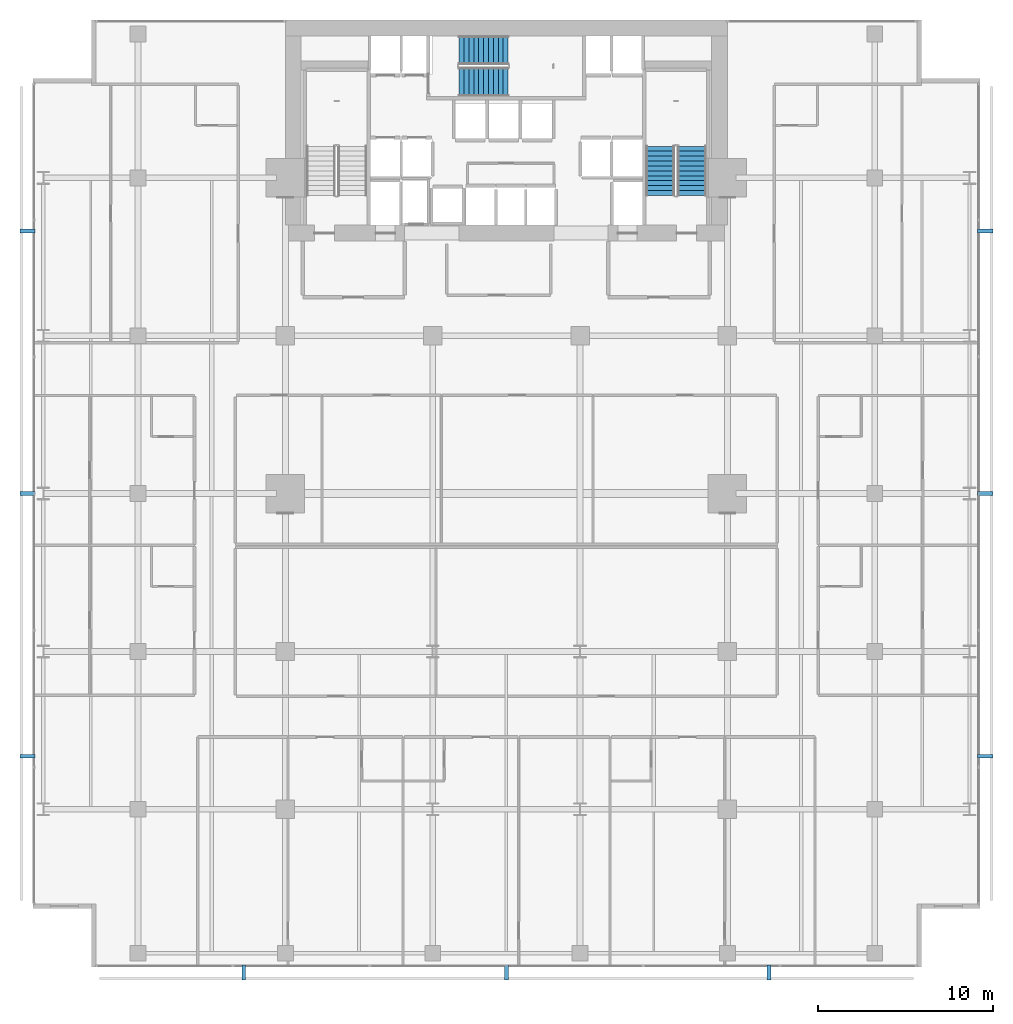
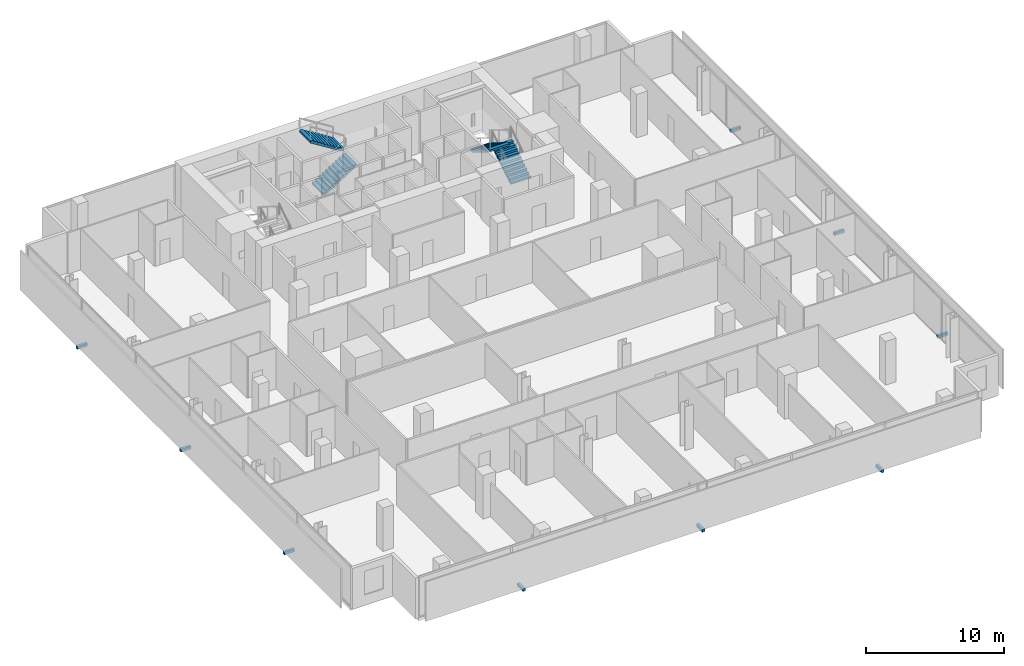
# One storey, part 37 of 39: 9 discrete accessories, 4 stair flights, 2 elements without a shape of their own.
"""IFC4 building model written with IfcOpenShell, lengths in metres."""

from ifc_helpers import new_model, si_unit, direction, frame, origin, origin_2d, place, context, subcontext, project, spatial, polyline, rectangle, outline, extrude, material, type_object, element, aggregate, save


model = new_model("IFC4")

# Units and contexts
model_context = context("Model", 3, precision=1e-05, world=origin(), true_north=direction((0.0, 1.0)))
body_context = subcontext(model_context, "Body", "Model", "MODEL_VIEW")
ifc_project = project(units=[si_unit("LENGTHUNIT", "METRE"), si_unit("AREAUNIT", "SQUARE_METRE"), si_unit("VOLUMEUNIT", "CUBIC_METRE"), si_unit("PLANEANGLEUNIT", "RADIAN"), si_unit("MASSUNIT", "GRAM", prefix="KILO")], contexts=[model_context])

# Site, building, storey
site_placement = place(None, origin())
site = spatial("IfcSite", under=ifc_project, at=site_placement, CompositionType="ELEMENT")
building_placement = place(site_placement, origin())
building = spatial("IfcBuilding", under=site, at=building_placement, Name="Maruvema Waterfront Hotel and Observation Tower", CompositionType="ELEMENT")
storey_placement = place(building_placement, frame((0.0, 0.0, 65.449951171875)))
storey = spatial("IfcBuildingStorey", under=building, at=storey_placement, Name="L15", CompositionType="ELEMENT", Elevation=65.449951171875)

# Stair, stair flights
ifc_material_1 = material(Name="Concrete C50/60", Category="concrete")
stair_type = type_object("IfcStairType", Name="Dogleg Exit Stair 1650 mm (22R x 175.0 mm)", PredefinedType="HALF_TURN_STAIR", material=ifc_material_1)
stair_1_placement = place(storey_placement, origin())
stair_1 = element("IfcStair", 1, at=stair_1_placement, inside=storey, type_object=stair_type, Name="L15 ST-02", PredefinedType="HALF_TURN_STAIR")
ifc_material_2 = material(Name="Concrete C50/60", Category="concrete")
stair_flight_type = type_object("IfcStairFlightType", Name="Reinforced Concrete Stair Flight 1650 mm (11R x 175.0 mm)", PredefinedType="STRAIGHT", material=ifc_material_2)
stair_flight_1_placement = place(storey_placement, frame((35.10009765625, 50.47509765625, 0.0), z_axis=(0.0, 0.0, 1.0), x_axis=(1.0, 0.0, 0.0)))
stair_flight_1 = element("IfcStairFlight", 2, at=stair_flight_1_placement, type_object=stair_flight_type, Name="ST-02 flight 1", NumberOfRisers=11, NumberOfTreads=10, PredefinedType="STRAIGHT", RiserHeight=0.175, TreadLength=0.28, context=body_context, shape_type="SweptSolid", body=[
    extrude(outline(polyline([(0.0, 0.0), (0.0, 0.175048828125), (0.280029296875, 0.175048828125), (0.280029296875, 0.35009765625), (0.56005859375, 0.35009765625), (0.56005859375, 0.52490234375), (0.840087890625, 0.52490234375), (0.840087890625, 0.699951171875), (1.1201171875, 0.699951171875), (1.1201171875, 0.875), (1.39990234375, 0.875), (1.39990234375, 1.050048828125), (1.679931640625, 1.050048828125), (1.679931640625, 1.22509765625), (1.9599609375, 1.22509765625), (1.9599609375, 1.39990234375), (2.239990234375, 1.39990234375), (2.239990234375, 1.574951171875), (2.52001953125, 1.574951171875), (2.52001953125, 1.75), (2.800048828125, 1.75), (2.800048828125, 1.925048828125), (2.800048828125, 1.5732421875), (0.28271484375, 0.0), (0.0, 0.0)])), frame((0.0, 0.824951171875, 0.0), z_axis=(0.0, -1.0, 0.0), x_axis=(1.0, 0.0, 0.0)), (0.0, 0.0, 1.0), 1.64990234375),
])
stair_flight_2_placement = place(storey_placement, frame((37.89990234375, 52.27490234375, 1.925048828125), z_axis=(0.0, 0.0, 1.0), x_axis=(-1.0, 0.0, 0.0)))
stair_flight_2 = element("IfcStairFlight", 3, at=stair_flight_2_placement, type_object=stair_flight_type, Name="ST-02 flight 2", NumberOfRisers=11, NumberOfTreads=10, PredefinedType="STRAIGHT", RiserHeight=0.175, TreadLength=0.28, context=body_context, shape_type="SweptSolid", body=[
    extrude(outline(polyline([(0.0, 0.0), (0.0, 0.175048828125), (0.280029296875, 0.175048828125), (0.280029296875, 0.35009765625), (0.56005859375, 0.35009765625), (0.56005859375, 0.52490234375), (0.840087890625, 0.52490234375), (0.840087890625, 0.699951171875), (1.1201171875, 0.699951171875), (1.1201171875, 0.875), (1.39990234375, 0.875), (1.39990234375, 1.050048828125), (1.679931640625, 1.050048828125), (1.679931640625, 1.22509765625), (1.9599609375, 1.22509765625), (1.9599609375, 1.39990234375), (2.239990234375, 1.39990234375), (2.239990234375, 1.574951171875), (2.52001953125, 1.574951171875), (2.52001953125, 1.75), (2.800048828125, 1.75), (2.800048828125, 1.925048828125), (2.800048828125, 1.5732421875), (0.28271484375, 0.0), (0.0, 0.0)])), frame((0.0, 0.824951171875, 0.0), z_axis=(0.0, -1.0, 0.0), x_axis=(1.0, 0.0, 0.0)), (0.0, 0.0, 1.0), 1.64990234375),
])
aggregate(stair_1, [stair_flight_1, stair_flight_2])

stair_2_placement = place(storey_placement, origin())
stair_2 = element("IfcStair", 4, at=stair_2_placement, inside=storey, type_object=stair_type, Name="L15 ST-03", PredefinedType="HALF_TURN_STAIR")
stair_flight_3_placement = place(storey_placement, frame((48.375, 44.0, 0.0), z_axis=(0.0, 0.0, 1.0), x_axis=(0.0, 1.0, 0.0)))
stair_flight_3 = element("IfcStairFlight", 5, at=stair_flight_3_placement, type_object=stair_flight_type, Name="ST-03 flight 1", NumberOfRisers=11, NumberOfTreads=10, PredefinedType="STRAIGHT", RiserHeight=0.175, TreadLength=0.28, context=body_context, shape_type="SweptSolid", body=[
    extrude(outline(polyline([(0.0, 0.0), (0.0, 0.175048828125), (0.280029296875, 0.175048828125), (0.280029296875, 0.35009765625), (0.56005859375, 0.35009765625), (0.56005859375, 0.52490234375), (0.840087890625, 0.52490234375), (0.840087890625, 0.699951171875), (1.1201171875, 0.699951171875), (1.1201171875, 0.875), (1.39990234375, 0.875), (1.39990234375, 1.050048828125), (1.679931640625, 1.050048828125), (1.679931640625, 1.22509765625), (1.9599609375, 1.22509765625), (1.9599609375, 1.39990234375), (2.239990234375, 1.39990234375), (2.239990234375, 1.574951171875), (2.52001953125, 1.574951171875), (2.52001953125, 1.75), (2.800048828125, 1.75), (2.800048828125, 1.925048828125), (2.800048828125, 1.5732421875), (0.28271484375, 0.0), (0.0, 0.0)])), frame((0.0, 0.824951171875, 0.0), z_axis=(0.0, -1.0, 0.0), x_axis=(1.0, 0.0, 0.0)), (0.0, 0.0, 1.0), 1.64990234375),
])
stair_flight_4_placement = place(storey_placement, frame((46.574951171875, 46.800048828125, 1.925048828125), z_axis=(0.0, 0.0, 1.0), x_axis=(0.0, -1.0, 0.0)))
stair_flight_4 = element("IfcStairFlight", 6, at=stair_flight_4_placement, type_object=stair_flight_type, Name="ST-03 flight 2", NumberOfRisers=11, NumberOfTreads=10, PredefinedType="STRAIGHT", RiserHeight=0.175, TreadLength=0.28, context=body_context, shape_type="SweptSolid", body=[
    extrude(outline(polyline([(0.0, 0.0), (0.0, 0.175048828125), (0.280029296875, 0.175048828125), (0.280029296875, 0.35009765625), (0.56005859375, 0.35009765625), (0.56005859375, 0.52490234375), (0.840087890625, 0.52490234375), (0.840087890625, 0.699951171875), (1.1201171875, 0.699951171875), (1.1201171875, 0.875), (1.39990234375, 0.875), (1.39990234375, 1.050048828125), (1.679931640625, 1.050048828125), (1.679931640625, 1.22509765625), (1.9599609375, 1.22509765625), (1.9599609375, 1.39990234375), (2.239990234375, 1.39990234375), (2.239990234375, 1.574951171875), (2.52001953125, 1.574951171875), (2.52001953125, 1.75), (2.800048828125, 1.75), (2.800048828125, 1.925048828125), (2.800048828125, 1.5732421875), (0.28271484375, 0.0), (0.0, 0.0)])), frame((0.0, 0.824951171875, 0.0), z_axis=(0.0, -1.0, 0.0), x_axis=(1.0, 0.0, 0.0)), (0.0, 0.0, 1.0), 1.64990234375),
])
aggregate(stair_2, [stair_flight_3, stair_flight_4])

# Discrete accessories
ifc_material_3 = material(Name="Duplex stainless steel Grade 2205", Category="steel")
discrete_accessory_type = type_object("IfcDiscreteAccessoryType", Name="Double-Skin Cavity Stainless Outrigger Bracket", PredefinedType="BRACKET", material=ifc_material_3)
for number, where, z_axis, x_axis, name in (
    (7, (22.823974609375, -0.300048828125, -0.14013671875), (0.0, 0.0, 1.0), (1.0, 0.0, 0.0), "L15 Outer Skin Support Bracket 1"),
    (8, (37.800048828125, -0.300048828125, -0.14013671875), (0.0, 0.0, 1.0), (1.0, 0.0, 0.0), "L15 Outer Skin Support Bracket 2"),
    (9, (52.77587890625, -0.300048828125, -0.14013671875), (0.0, 0.0, 1.0), (1.0, 0.0, 0.0), "L15 Outer Skin Support Bracket 3"),
    (10, (65.10009765625, 12.02392578125, -0.14013671875), (0.0, 0.0, 1.0), (0.0, 1.0, 0.0), "L15 Outer Skin Support Bracket 1"),
    (11, (65.10009765625, 27.0, -0.14013671875), (0.0, 0.0, 1.0), (0.0, 1.0, 0.0), "L15 Outer Skin Support Bracket 2"),
    (12, (65.10009765625, 41.97607421875, -0.14013671875), (0.0, 0.0, 1.0), (0.0, 1.0, 0.0), "L15 Outer Skin Support Bracket 3"),
    (13, (10.5, 41.97607421875, -0.14013671875), (0.0, 0.0, 1.0), (0.0, -1.0, 0.0), "L15 Outer Skin Support Bracket 1"),
    (14, (10.5, 27.0, -0.14013671875), (0.0, 0.0, 1.0), (0.0, -1.0, 0.0), "L15 Outer Skin Support Bracket 2"),
    (15, (10.5, 12.02392578125, -0.14013671875), (0.0, 0.0, 1.0), (0.0, -1.0, 0.0), "L15 Outer Skin Support Bracket 3"),
):
    element("IfcDiscreteAccessory", number, at=place(storey_placement, frame(where, z_axis=z_axis, x_axis=x_axis)), inside=storey, type_object=discrete_accessory_type, Name=name, PredefinedType="BRACKET", context=body_context, shape_type="SweptSolid", body=[
        extrude(rectangle(XDim=0.219970703125, YDim=0.860107421875, at=origin_2d()), origin(), (0.0, 0.0, 1.0), 0.239990234375),
    ])

save(model, "model.ifc")
